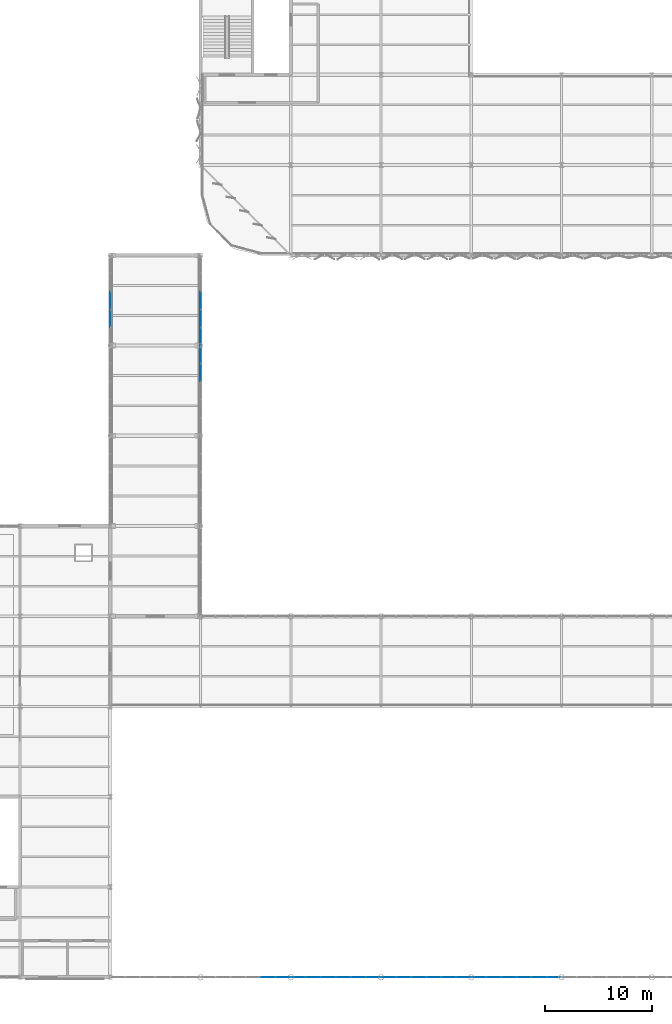
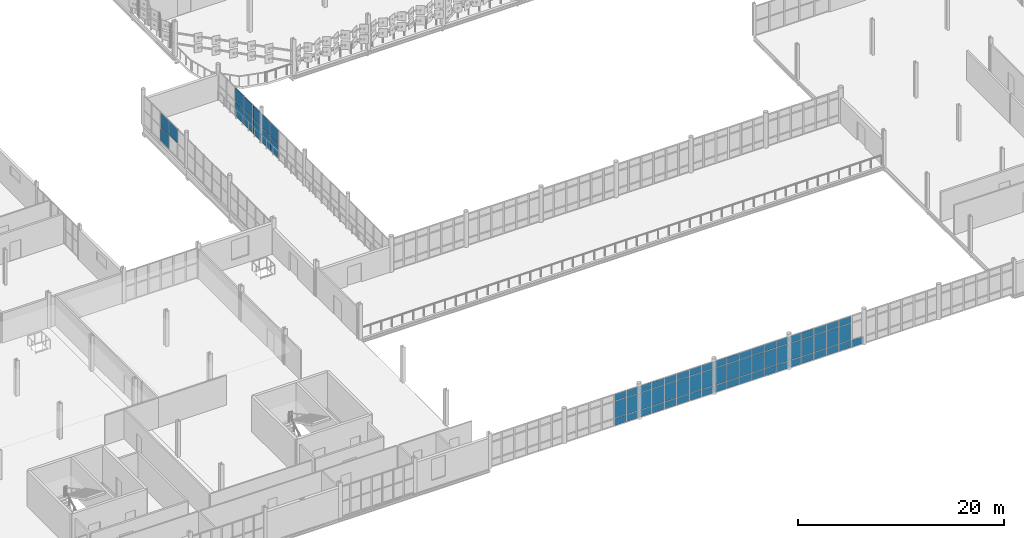
# One storey, part 115 of 163: 71 plates, 7 elements without a shape of their own.
"""IFC4 building model written with IfcOpenShell, lengths in metres."""

from ifc_helpers import new_model, si_unit, direction, frame, origin, origin_2d, place, context, subcontext, project, spatial, rectangle, extrude, material, layer, layer_set, type_object, element, aggregate, save


model = new_model("IFC4")

# Units and contexts
model_context = context("Model", 3, precision=1e-05, world=origin(), true_north=direction((0.0, 1.0)))
body_context = subcontext(model_context, "Body", "Model", "MODEL_VIEW")
ifc_project = project(units=[si_unit("LENGTHUNIT", "METRE"), si_unit("AREAUNIT", "SQUARE_METRE"), si_unit("VOLUMEUNIT", "CUBIC_METRE"), si_unit("PLANEANGLEUNIT", "RADIAN"), si_unit("MASSUNIT", "GRAM", prefix="KILO")], contexts=[model_context])

# Site, building, storey
site_placement = place(None, origin())
site = spatial("IfcSite", under=ifc_project, at=site_placement, CompositionType="ELEMENT")
building_placement = place(site_placement, origin())
building = spatial("IfcBuilding", under=site, at=building_placement, Name="Qalvenar Corner Mobility Hub", CompositionType="ELEMENT")
storey_placement = place(building_placement, frame((0.0, 0.0, 4.800048828125)))
storey = spatial("IfcBuildingStorey", under=building, at=storey_placement, Name="L01", CompositionType="ELEMENT", Elevation=4.800048828125)

# Curtain wall, plates
ifc_material_1 = material(Name="Anodised Aluminium and Low-E Glazing", Category="aluminium")
ifc_layer_1 = layer(ifc_material_1, 0.179931640625)
ifc_layer_set_1 = layer_set([ifc_layer_1], Name="Anodised Aluminium and Low-E Glazing")
curtain_wall_type_1 = type_object("IfcCurtainWallType", Name="CW-CONC-84X42", PredefinedType="NOTDEFINED", material=ifc_layer_set_1)
curtain_wall_1_placement = place(storey_placement, origin())
curtain_wall_1 = element("IfcCurtainWall", 1, at=curtain_wall_1_placement, inside=storey, type_object=curtain_wall_type_1, Name="Glazed Curtain Wall CW-V1-L01-S1", PredefinedType="NOTDEFINED")
ifc_material_2 = material(Name="Solar-Control Low-E Double Glazing", Category="glass")
ifc_layer_2 = layer(ifc_material_2, 0.028076171875)
ifc_layer_set_2 = layer_set([ifc_layer_2], Name="Solar-Control Low-E Double Glazing")
plate_type = type_object("IfcPlateType", Name="PLT-CWP-GLZ1", PredefinedType="CURTAIN_PANEL", material=ifc_layer_set_2)
plate_1_placement = place(storey_placement, frame((65.10009765625, 0.0, 0.054931640625), z_axis=(0.0, 0.0, 1.0), x_axis=(1.0, 0.0, 0.0)))
plate_1 = element("IfcPlate", 2, at=plate_1_placement, type_object=plate_type, Name="CW-02 panel 5.1", PredefinedType="CURTAIN_PANEL", context=body_context, shape_type="SweptSolid", body=[
    extrude(rectangle(XDim=1.340087890625, YDim=0.028076171875, at=origin_2d()), origin(), (0.0, 0.0, 1.0), 0.8173828125),
])
plate_2_placement = place(storey_placement, frame((65.10009765625, 0.0, 0.927490234375), z_axis=(0.0, 0.0, 1.0), x_axis=(1.0, 0.0, 0.0)))
plate_2 = element("IfcPlate", 3, at=plate_2_placement, type_object=plate_type, Name="CW-02 panel 5.2", PredefinedType="CURTAIN_PANEL", context=body_context, shape_type="SweptSolid", body=[
    extrude(rectangle(XDim=1.340087890625, YDim=0.028076171875, at=origin_2d()), origin(), (0.0, 0.0, 1.0), 1.9951171875),
])
plate_3_placement = place(storey_placement, frame((65.10009765625, 0.0, 2.977294921875), z_axis=(0.0, 0.0, 1.0), x_axis=(1.0, 0.0, 0.0)))
plate_3 = element("IfcPlate", 4, at=plate_3_placement, type_object=plate_type, Name="CW-02 panel 5.3", PredefinedType="CURTAIN_PANEL", context=body_context, shape_type="SweptSolid", body=[
    extrude(rectangle(XDim=1.340087890625, YDim=0.028076171875, at=origin_2d()), origin(), (0.0, 0.0, 1.0), 0.767578125),
])
plate_4_placement = place(storey_placement, frame((66.485107421875, 0.0, 0.054931640625), z_axis=(0.0, 0.0, 1.0), x_axis=(1.0, 0.0, 0.0)))
plate_4 = element("IfcPlate", 5, at=plate_4_placement, type_object=plate_type, Name="CW-02 panel 6.1", PredefinedType="CURTAIN_PANEL", context=body_context, shape_type="SweptSolid", body=[
    extrude(rectangle(XDim=1.31005859375, YDim=0.028076171875, at=origin_2d()), origin(), (0.0, 0.0, 1.0), 0.8173828125),
])
plate_5_placement = place(storey_placement, frame((66.485107421875, 0.0, 0.927490234375), z_axis=(0.0, 0.0, 1.0), x_axis=(1.0, 0.0, 0.0)))
plate_5 = element("IfcPlate", 6, at=plate_5_placement, type_object=plate_type, Name="CW-02 panel 6.2", PredefinedType="CURTAIN_PANEL", context=body_context, shape_type="SweptSolid", body=[
    extrude(rectangle(XDim=1.31005859375, YDim=0.028076171875, at=origin_2d()), origin(), (0.0, 0.0, 1.0), 1.9951171875),
])
plate_6_placement = place(storey_placement, frame((66.485107421875, 0.0, 2.977294921875), z_axis=(0.0, 0.0, 1.0), x_axis=(1.0, 0.0, 0.0)))
plate_6 = element("IfcPlate", 7, at=plate_6_placement, type_object=plate_type, Name="CW-02 panel 6.3", PredefinedType="CURTAIN_PANEL", context=body_context, shape_type="SweptSolid", body=[
    extrude(rectangle(XDim=1.31005859375, YDim=0.028076171875, at=origin_2d()), origin(), (0.0, 0.0, 1.0), 0.767578125),
])
aggregate(curtain_wall_1, [plate_1, plate_2, plate_3, plate_4, plate_5, plate_6])

curtain_wall_2_placement = place(storey_placement, origin())
curtain_wall_2 = element("IfcCurtainWall", 8, at=curtain_wall_2_placement, inside=storey, type_object=curtain_wall_type_1, Name="Glazed Curtain Wall CW-V1-L01-S2", PredefinedType="NOTDEFINED")
plate_7_placement = place(storey_placement, frame((67.9150390625, 0.0, 0.054931640625), z_axis=(0.0, 0.0, 1.0), x_axis=(1.0, 0.0, 0.0)))
plate_7 = element("IfcPlate", 9, at=plate_7_placement, type_object=plate_type, Name="CW-02 panel 1.1", PredefinedType="CURTAIN_PANEL", context=body_context, shape_type="SweptSolid", body=[
    extrude(rectangle(XDim=1.31005859375, YDim=0.028076171875, at=origin_2d()), origin(), (0.0, 0.0, 1.0), 0.8173828125),
])
plate_8_placement = place(storey_placement, frame((67.9150390625, 0.0, 0.927490234375), z_axis=(0.0, 0.0, 1.0), x_axis=(1.0, 0.0, 0.0)))
plate_8 = element("IfcPlate", 10, at=plate_8_placement, type_object=plate_type, Name="CW-02 panel 1.2", PredefinedType="CURTAIN_PANEL", context=body_context, shape_type="SweptSolid", body=[
    extrude(rectangle(XDim=1.31005859375, YDim=0.028076171875, at=origin_2d()), origin(), (0.0, 0.0, 1.0), 1.9951171875),
])
plate_9_placement = place(storey_placement, frame((67.9150390625, 0.0, 2.977294921875), z_axis=(0.0, 0.0, 1.0), x_axis=(1.0, 0.0, 0.0)))
plate_9 = element("IfcPlate", 11, at=plate_9_placement, type_object=plate_type, Name="CW-02 panel 1.3", PredefinedType="CURTAIN_PANEL", context=body_context, shape_type="SweptSolid", body=[
    extrude(rectangle(XDim=1.31005859375, YDim=0.028076171875, at=origin_2d()), origin(), (0.0, 0.0, 1.0), 0.767578125),
])
plate_10_placement = place(storey_placement, frame((69.300048828125, 0.0, 0.054931640625), z_axis=(0.0, 0.0, 1.0), x_axis=(1.0, 0.0, 0.0)))
plate_10 = element("IfcPlate", 12, at=plate_10_placement, type_object=plate_type, Name="CW-02 panel 2.1", PredefinedType="CURTAIN_PANEL", context=body_context, shape_type="SweptSolid", body=[
    extrude(rectangle(XDim=1.340087890625, YDim=0.028076171875, at=origin_2d()), origin(), (0.0, 0.0, 1.0), 0.8173828125),
])
plate_11_placement = place(storey_placement, frame((69.300048828125, 0.0, 0.927490234375), z_axis=(0.0, 0.0, 1.0), x_axis=(1.0, 0.0, 0.0)))
plate_11 = element("IfcPlate", 13, at=plate_11_placement, type_object=plate_type, Name="CW-02 panel 2.2", PredefinedType="CURTAIN_PANEL", context=body_context, shape_type="SweptSolid", body=[
    extrude(rectangle(XDim=1.340087890625, YDim=0.028076171875, at=origin_2d()), origin(), (0.0, 0.0, 1.0), 1.9951171875),
])
plate_12_placement = place(storey_placement, frame((69.300048828125, 0.0, 2.977294921875), z_axis=(0.0, 0.0, 1.0), x_axis=(1.0, 0.0, 0.0)))
plate_12 = element("IfcPlate", 14, at=plate_12_placement, type_object=plate_type, Name="CW-02 panel 2.3", PredefinedType="CURTAIN_PANEL", context=body_context, shape_type="SweptSolid", body=[
    extrude(rectangle(XDim=1.340087890625, YDim=0.028076171875, at=origin_2d()), origin(), (0.0, 0.0, 1.0), 0.767578125),
])
plate_13_placement = place(storey_placement, frame((70.699951171875, 0.0, 0.054931640625), z_axis=(0.0, 0.0, 1.0), x_axis=(1.0, 0.0, 0.0)))
plate_13 = element("IfcPlate", 15, at=plate_13_placement, type_object=plate_type, Name="CW-02 panel 3.1", PredefinedType="CURTAIN_PANEL", context=body_context, shape_type="SweptSolid", body=[
    extrude(rectangle(XDim=1.340087890625, YDim=0.028076171875, at=origin_2d()), origin(), (0.0, 0.0, 1.0), 0.8173828125),
])
plate_14_placement = place(storey_placement, frame((70.699951171875, 0.0, 0.927490234375), z_axis=(0.0, 0.0, 1.0), x_axis=(1.0, 0.0, 0.0)))
plate_14 = element("IfcPlate", 16, at=plate_14_placement, type_object=plate_type, Name="CW-02 panel 3.2", PredefinedType="CURTAIN_PANEL", context=body_context, shape_type="SweptSolid", body=[
    extrude(rectangle(XDim=1.340087890625, YDim=0.028076171875, at=origin_2d()), origin(), (0.0, 0.0, 1.0), 1.9951171875),
])
plate_15_placement = place(storey_placement, frame((70.699951171875, 0.0, 2.977294921875), z_axis=(0.0, 0.0, 1.0), x_axis=(1.0, 0.0, 0.0)))
plate_15 = element("IfcPlate", 17, at=plate_15_placement, type_object=plate_type, Name="CW-02 panel 3.3", PredefinedType="CURTAIN_PANEL", context=body_context, shape_type="SweptSolid", body=[
    extrude(rectangle(XDim=1.340087890625, YDim=0.028076171875, at=origin_2d()), origin(), (0.0, 0.0, 1.0), 0.767578125),
])
plate_16_placement = place(storey_placement, frame((72.10009765625, 0.0, 0.054931640625), z_axis=(0.0, 0.0, 1.0), x_axis=(1.0, 0.0, 0.0)))
plate_16 = element("IfcPlate", 18, at=plate_16_placement, type_object=plate_type, Name="CW-02 panel 4.1", PredefinedType="CURTAIN_PANEL", context=body_context, shape_type="SweptSolid", body=[
    extrude(rectangle(XDim=1.340087890625, YDim=0.028076171875, at=origin_2d()), origin(), (0.0, 0.0, 1.0), 0.8173828125),
])
plate_17_placement = place(storey_placement, frame((72.10009765625, 0.0, 0.927490234375), z_axis=(0.0, 0.0, 1.0), x_axis=(1.0, 0.0, 0.0)))
plate_17 = element("IfcPlate", 19, at=plate_17_placement, type_object=plate_type, Name="CW-02 panel 4.2", PredefinedType="CURTAIN_PANEL", context=body_context, shape_type="SweptSolid", body=[
    extrude(rectangle(XDim=1.340087890625, YDim=0.028076171875, at=origin_2d()), origin(), (0.0, 0.0, 1.0), 1.9951171875),
])
plate_18_placement = place(storey_placement, frame((72.10009765625, 0.0, 2.977294921875), z_axis=(0.0, 0.0, 1.0), x_axis=(1.0, 0.0, 0.0)))
plate_18 = element("IfcPlate", 20, at=plate_18_placement, type_object=plate_type, Name="CW-02 panel 4.3", PredefinedType="CURTAIN_PANEL", context=body_context, shape_type="SweptSolid", body=[
    extrude(rectangle(XDim=1.340087890625, YDim=0.028076171875, at=origin_2d()), origin(), (0.0, 0.0, 1.0), 0.767578125),
])
plate_19_placement = place(storey_placement, frame((73.5, 0.0, 0.054931640625), z_axis=(0.0, 0.0, 1.0), x_axis=(1.0, 0.0, 0.0)))
plate_19 = element("IfcPlate", 21, at=plate_19_placement, type_object=plate_type, Name="CW-02 panel 5.1", PredefinedType="CURTAIN_PANEL", context=body_context, shape_type="SweptSolid", body=[
    extrude(rectangle(XDim=1.340087890625, YDim=0.028076171875, at=origin_2d()), origin(), (0.0, 0.0, 1.0), 0.8173828125),
])
plate_20_placement = place(storey_placement, frame((73.5, 0.0, 0.927490234375), z_axis=(0.0, 0.0, 1.0), x_axis=(1.0, 0.0, 0.0)))
plate_20 = element("IfcPlate", 22, at=plate_20_placement, type_object=plate_type, Name="CW-02 panel 5.2", PredefinedType="CURTAIN_PANEL", context=body_context, shape_type="SweptSolid", body=[
    extrude(rectangle(XDim=1.340087890625, YDim=0.028076171875, at=origin_2d()), origin(), (0.0, 0.0, 1.0), 1.9951171875),
])
plate_21_placement = place(storey_placement, frame((73.5, 0.0, 2.977294921875), z_axis=(0.0, 0.0, 1.0), x_axis=(1.0, 0.0, 0.0)))
plate_21 = element("IfcPlate", 23, at=plate_21_placement, type_object=plate_type, Name="CW-02 panel 5.3", PredefinedType="CURTAIN_PANEL", context=body_context, shape_type="SweptSolid", body=[
    extrude(rectangle(XDim=1.340087890625, YDim=0.028076171875, at=origin_2d()), origin(), (0.0, 0.0, 1.0), 0.767578125),
])
plate_22_placement = place(storey_placement, frame((74.885009765625, 0.0, 0.054931640625), z_axis=(0.0, 0.0, 1.0), x_axis=(1.0, 0.0, 0.0)))
plate_22 = element("IfcPlate", 24, at=plate_22_placement, type_object=plate_type, Name="CW-02 panel 6.1", PredefinedType="CURTAIN_PANEL", context=body_context, shape_type="SweptSolid", body=[
    extrude(rectangle(XDim=1.31005859375, YDim=0.028076171875, at=origin_2d()), origin(), (0.0, 0.0, 1.0), 0.8173828125),
])
plate_23_placement = place(storey_placement, frame((74.885009765625, 0.0, 0.927490234375), z_axis=(0.0, 0.0, 1.0), x_axis=(1.0, 0.0, 0.0)))
plate_23 = element("IfcPlate", 25, at=plate_23_placement, type_object=plate_type, Name="CW-02 panel 6.2", PredefinedType="CURTAIN_PANEL", context=body_context, shape_type="SweptSolid", body=[
    extrude(rectangle(XDim=1.31005859375, YDim=0.028076171875, at=origin_2d()), origin(), (0.0, 0.0, 1.0), 1.9951171875),
])
plate_24_placement = place(storey_placement, frame((74.885009765625, 0.0, 2.977294921875), z_axis=(0.0, 0.0, 1.0), x_axis=(1.0, 0.0, 0.0)))
plate_24 = element("IfcPlate", 26, at=plate_24_placement, type_object=plate_type, Name="CW-02 panel 6.3", PredefinedType="CURTAIN_PANEL", context=body_context, shape_type="SweptSolid", body=[
    extrude(rectangle(XDim=1.31005859375, YDim=0.028076171875, at=origin_2d()), origin(), (0.0, 0.0, 1.0), 0.767578125),
])
aggregate(curtain_wall_2, [plate_7, plate_8, plate_9, plate_10, plate_11, plate_12, plate_13, plate_14, plate_15, plate_16, plate_17, plate_18, plate_19, plate_20, plate_21, plate_22, plate_23, plate_24])

curtain_wall_3_placement = place(storey_placement, origin())
curtain_wall_3 = element("IfcCurtainWall", 27, at=curtain_wall_3_placement, inside=storey, type_object=curtain_wall_type_1, Name="Glazed Curtain Wall CW-V1-L01-S3", PredefinedType="NOTDEFINED")
plate_25_placement = place(storey_placement, frame((76.31494140625, 0.0, 0.054931640625), z_axis=(0.0, 0.0, 1.0), x_axis=(1.0, 0.0, 0.0)))
plate_25 = element("IfcPlate", 28, at=plate_25_placement, type_object=plate_type, Name="CW-02 panel 1.1", PredefinedType="CURTAIN_PANEL", context=body_context, shape_type="SweptSolid", body=[
    extrude(rectangle(XDim=1.31005859375, YDim=0.028076171875, at=origin_2d()), origin(), (0.0, 0.0, 1.0), 0.8173828125),
])
plate_26_placement = place(storey_placement, frame((76.31494140625, 0.0, 0.927490234375), z_axis=(0.0, 0.0, 1.0), x_axis=(1.0, 0.0, 0.0)))
plate_26 = element("IfcPlate", 29, at=plate_26_placement, type_object=plate_type, Name="CW-02 panel 1.2", PredefinedType="CURTAIN_PANEL", context=body_context, shape_type="SweptSolid", body=[
    extrude(rectangle(XDim=1.31005859375, YDim=0.028076171875, at=origin_2d()), origin(), (0.0, 0.0, 1.0), 1.9951171875),
])
plate_27_placement = place(storey_placement, frame((76.31494140625, 0.0, 2.977294921875), z_axis=(0.0, 0.0, 1.0), x_axis=(1.0, 0.0, 0.0)))
plate_27 = element("IfcPlate", 30, at=plate_27_placement, type_object=plate_type, Name="CW-02 panel 1.3", PredefinedType="CURTAIN_PANEL", context=body_context, shape_type="SweptSolid", body=[
    extrude(rectangle(XDim=1.31005859375, YDim=0.028076171875, at=origin_2d()), origin(), (0.0, 0.0, 1.0), 0.767578125),
])
plate_28_placement = place(storey_placement, frame((77.699951171875, 0.0, 0.054931640625), z_axis=(0.0, 0.0, 1.0), x_axis=(1.0, 0.0, 0.0)))
plate_28 = element("IfcPlate", 31, at=plate_28_placement, type_object=plate_type, Name="CW-02 panel 2.1", PredefinedType="CURTAIN_PANEL", context=body_context, shape_type="SweptSolid", body=[
    extrude(rectangle(XDim=1.340087890625, YDim=0.028076171875, at=origin_2d()), origin(), (0.0, 0.0, 1.0), 0.8173828125),
])
plate_29_placement = place(storey_placement, frame((77.699951171875, 0.0, 0.927490234375), z_axis=(0.0, 0.0, 1.0), x_axis=(1.0, 0.0, 0.0)))
plate_29 = element("IfcPlate", 32, at=plate_29_placement, type_object=plate_type, Name="CW-02 panel 2.2", PredefinedType="CURTAIN_PANEL", context=body_context, shape_type="SweptSolid", body=[
    extrude(rectangle(XDim=1.340087890625, YDim=0.028076171875, at=origin_2d()), origin(), (0.0, 0.0, 1.0), 1.9951171875),
])
plate_30_placement = place(storey_placement, frame((77.699951171875, 0.0, 2.977294921875), z_axis=(0.0, 0.0, 1.0), x_axis=(1.0, 0.0, 0.0)))
plate_30 = element("IfcPlate", 33, at=plate_30_placement, type_object=plate_type, Name="CW-02 panel 2.3", PredefinedType="CURTAIN_PANEL", context=body_context, shape_type="SweptSolid", body=[
    extrude(rectangle(XDim=1.340087890625, YDim=0.028076171875, at=origin_2d()), origin(), (0.0, 0.0, 1.0), 0.767578125),
])
plate_31_placement = place(storey_placement, frame((79.10009765625, 0.0, 0.054931640625), z_axis=(0.0, 0.0, 1.0), x_axis=(1.0, 0.0, 0.0)))
plate_31 = element("IfcPlate", 34, at=plate_31_placement, type_object=plate_type, Name="CW-02 panel 3.1", PredefinedType="CURTAIN_PANEL", context=body_context, shape_type="SweptSolid", body=[
    extrude(rectangle(XDim=1.340087890625, YDim=0.028076171875, at=origin_2d()), origin(), (0.0, 0.0, 1.0), 0.8173828125),
])
plate_32_placement = place(storey_placement, frame((79.10009765625, 0.0, 0.927490234375), z_axis=(0.0, 0.0, 1.0), x_axis=(1.0, 0.0, 0.0)))
plate_32 = element("IfcPlate", 35, at=plate_32_placement, type_object=plate_type, Name="CW-02 panel 3.2", PredefinedType="CURTAIN_PANEL", context=body_context, shape_type="SweptSolid", body=[
    extrude(rectangle(XDim=1.340087890625, YDim=0.028076171875, at=origin_2d()), origin(), (0.0, 0.0, 1.0), 1.9951171875),
])
plate_33_placement = place(storey_placement, frame((79.10009765625, 0.0, 2.977294921875), z_axis=(0.0, 0.0, 1.0), x_axis=(1.0, 0.0, 0.0)))
plate_33 = element("IfcPlate", 36, at=plate_33_placement, type_object=plate_type, Name="CW-02 panel 3.3", PredefinedType="CURTAIN_PANEL", context=body_context, shape_type="SweptSolid", body=[
    extrude(rectangle(XDim=1.340087890625, YDim=0.028076171875, at=origin_2d()), origin(), (0.0, 0.0, 1.0), 0.767578125),
])
plate_34_placement = place(storey_placement, frame((80.5, 0.0, 0.054931640625), z_axis=(0.0, 0.0, 1.0), x_axis=(1.0, 0.0, 0.0)))
plate_34 = element("IfcPlate", 37, at=plate_34_placement, type_object=plate_type, Name="CW-02 panel 4.1", PredefinedType="CURTAIN_PANEL", context=body_context, shape_type="SweptSolid", body=[
    extrude(rectangle(XDim=1.340087890625, YDim=0.028076171875, at=origin_2d()), origin(), (0.0, 0.0, 1.0), 0.8173828125),
])
plate_35_placement = place(storey_placement, frame((80.5, 0.0, 0.927490234375), z_axis=(0.0, 0.0, 1.0), x_axis=(1.0, 0.0, 0.0)))
plate_35 = element("IfcPlate", 38, at=plate_35_placement, type_object=plate_type, Name="CW-02 panel 4.2", PredefinedType="CURTAIN_PANEL", context=body_context, shape_type="SweptSolid", body=[
    extrude(rectangle(XDim=1.340087890625, YDim=0.028076171875, at=origin_2d()), origin(), (0.0, 0.0, 1.0), 1.9951171875),
])
plate_36_placement = place(storey_placement, frame((80.5, 0.0, 2.977294921875), z_axis=(0.0, 0.0, 1.0), x_axis=(1.0, 0.0, 0.0)))
plate_36 = element("IfcPlate", 39, at=plate_36_placement, type_object=plate_type, Name="CW-02 panel 4.3", PredefinedType="CURTAIN_PANEL", context=body_context, shape_type="SweptSolid", body=[
    extrude(rectangle(XDim=1.340087890625, YDim=0.028076171875, at=origin_2d()), origin(), (0.0, 0.0, 1.0), 0.767578125),
])
plate_37_placement = place(storey_placement, frame((81.89990234375, 0.0, 0.054931640625), z_axis=(0.0, 0.0, 1.0), x_axis=(1.0, 0.0, 0.0)))
plate_37 = element("IfcPlate", 40, at=plate_37_placement, type_object=plate_type, Name="CW-02 panel 5.1", PredefinedType="CURTAIN_PANEL", context=body_context, shape_type="SweptSolid", body=[
    extrude(rectangle(XDim=1.340087890625, YDim=0.028076171875, at=origin_2d()), origin(), (0.0, 0.0, 1.0), 0.8173828125),
])
plate_38_placement = place(storey_placement, frame((81.89990234375, 0.0, 0.927490234375), z_axis=(0.0, 0.0, 1.0), x_axis=(1.0, 0.0, 0.0)))
plate_38 = element("IfcPlate", 41, at=plate_38_placement, type_object=plate_type, Name="CW-02 panel 5.2", PredefinedType="CURTAIN_PANEL", context=body_context, shape_type="SweptSolid", body=[
    extrude(rectangle(XDim=1.340087890625, YDim=0.028076171875, at=origin_2d()), origin(), (0.0, 0.0, 1.0), 1.9951171875),
])
plate_39_placement = place(storey_placement, frame((81.89990234375, 0.0, 2.977294921875), z_axis=(0.0, 0.0, 1.0), x_axis=(1.0, 0.0, 0.0)))
plate_39 = element("IfcPlate", 42, at=plate_39_placement, type_object=plate_type, Name="CW-02 panel 5.3", PredefinedType="CURTAIN_PANEL", context=body_context, shape_type="SweptSolid", body=[
    extrude(rectangle(XDim=1.340087890625, YDim=0.028076171875, at=origin_2d()), origin(), (0.0, 0.0, 1.0), 0.767578125),
])
plate_40_placement = place(storey_placement, frame((83.284912109375, 0.0, 0.054931640625), z_axis=(0.0, 0.0, 1.0), x_axis=(1.0, 0.0, 0.0)))
plate_40 = element("IfcPlate", 43, at=plate_40_placement, type_object=plate_type, Name="CW-02 panel 6.1", PredefinedType="CURTAIN_PANEL", context=body_context, shape_type="SweptSolid", body=[
    extrude(rectangle(XDim=1.31005859375, YDim=0.028076171875, at=origin_2d()), origin(), (0.0, 0.0, 1.0), 0.8173828125),
])
plate_41_placement = place(storey_placement, frame((83.284912109375, 0.0, 0.927490234375), z_axis=(0.0, 0.0, 1.0), x_axis=(1.0, 0.0, 0.0)))
plate_41 = element("IfcPlate", 44, at=plate_41_placement, type_object=plate_type, Name="CW-02 panel 6.2", PredefinedType="CURTAIN_PANEL", context=body_context, shape_type="SweptSolid", body=[
    extrude(rectangle(XDim=1.31005859375, YDim=0.028076171875, at=origin_2d()), origin(), (0.0, 0.0, 1.0), 1.9951171875),
])
plate_42_placement = place(storey_placement, frame((83.284912109375, 0.0, 2.977294921875), z_axis=(0.0, 0.0, 1.0), x_axis=(1.0, 0.0, 0.0)))
plate_42 = element("IfcPlate", 45, at=plate_42_placement, type_object=plate_type, Name="CW-02 panel 6.3", PredefinedType="CURTAIN_PANEL", context=body_context, shape_type="SweptSolid", body=[
    extrude(rectangle(XDim=1.31005859375, YDim=0.028076171875, at=origin_2d()), origin(), (0.0, 0.0, 1.0), 0.767578125),
])
aggregate(curtain_wall_3, [plate_25, plate_26, plate_27, plate_28, plate_29, plate_30, plate_31, plate_32, plate_33, plate_34, plate_35, plate_36, plate_37, plate_38, plate_39, plate_40, plate_41, plate_42])

curtain_wall_4_placement = place(storey_placement, origin())
curtain_wall_4 = element("IfcCurtainWall", 46, at=curtain_wall_4_placement, inside=storey, type_object=curtain_wall_type_1, Name="Glazed Curtain Wall CW-V1-L01-S4", PredefinedType="NOTDEFINED")
plate_43_placement = place(storey_placement, frame((84.715087890625, 0.0, 0.054931640625), z_axis=(0.0, 0.0, 1.0), x_axis=(1.0, 0.0, 0.0)))
plate_43 = element("IfcPlate", 47, at=plate_43_placement, type_object=plate_type, Name="CW-02 panel 1.1", PredefinedType="CURTAIN_PANEL", context=body_context, shape_type="SweptSolid", body=[
    extrude(rectangle(XDim=1.31005859375, YDim=0.028076171875, at=origin_2d()), origin(), (0.0, 0.0, 1.0), 0.8173828125),
])
plate_44_placement = place(storey_placement, frame((84.715087890625, 0.0, 0.927490234375), z_axis=(0.0, 0.0, 1.0), x_axis=(1.0, 0.0, 0.0)))
plate_44 = element("IfcPlate", 48, at=plate_44_placement, type_object=plate_type, Name="CW-02 panel 1.2", PredefinedType="CURTAIN_PANEL", context=body_context, shape_type="SweptSolid", body=[
    extrude(rectangle(XDim=1.31005859375, YDim=0.028076171875, at=origin_2d()), origin(), (0.0, 0.0, 1.0), 1.9951171875),
])
plate_45_placement = place(storey_placement, frame((84.715087890625, 0.0, 2.977294921875), z_axis=(0.0, 0.0, 1.0), x_axis=(1.0, 0.0, 0.0)))
plate_45 = element("IfcPlate", 49, at=plate_45_placement, type_object=plate_type, Name="CW-02 panel 1.3", PredefinedType="CURTAIN_PANEL", context=body_context, shape_type="SweptSolid", body=[
    extrude(rectangle(XDim=1.31005859375, YDim=0.028076171875, at=origin_2d()), origin(), (0.0, 0.0, 1.0), 0.767578125),
])
plate_46_placement = place(storey_placement, frame((86.10009765625, 0.0, 0.054931640625), z_axis=(0.0, 0.0, 1.0), x_axis=(1.0, 0.0, 0.0)))
plate_46 = element("IfcPlate", 50, at=plate_46_placement, type_object=plate_type, Name="CW-02 panel 2.1", PredefinedType="CURTAIN_PANEL", context=body_context, shape_type="SweptSolid", body=[
    extrude(rectangle(XDim=1.340087890625, YDim=0.028076171875, at=origin_2d()), origin(), (0.0, 0.0, 1.0), 0.8173828125),
])
plate_47_placement = place(storey_placement, frame((86.10009765625, 0.0, 0.927490234375), z_axis=(0.0, 0.0, 1.0), x_axis=(1.0, 0.0, 0.0)))
plate_47 = element("IfcPlate", 51, at=plate_47_placement, type_object=plate_type, Name="CW-02 panel 2.2", PredefinedType="CURTAIN_PANEL", context=body_context, shape_type="SweptSolid", body=[
    extrude(rectangle(XDim=1.340087890625, YDim=0.028076171875, at=origin_2d()), origin(), (0.0, 0.0, 1.0), 1.9951171875),
])
plate_48_placement = place(storey_placement, frame((86.10009765625, 0.0, 2.977294921875), z_axis=(0.0, 0.0, 1.0), x_axis=(1.0, 0.0, 0.0)))
plate_48 = element("IfcPlate", 52, at=plate_48_placement, type_object=plate_type, Name="CW-02 panel 2.3", PredefinedType="CURTAIN_PANEL", context=body_context, shape_type="SweptSolid", body=[
    extrude(rectangle(XDim=1.340087890625, YDim=0.028076171875, at=origin_2d()), origin(), (0.0, 0.0, 1.0), 0.767578125),
])
plate_49_placement = place(storey_placement, frame((87.5, 0.0, 0.054931640625), z_axis=(0.0, 0.0, 1.0), x_axis=(1.0, 0.0, 0.0)))
plate_49 = element("IfcPlate", 53, at=plate_49_placement, type_object=plate_type, Name="CW-02 panel 3.1", PredefinedType="CURTAIN_PANEL", context=body_context, shape_type="SweptSolid", body=[
    extrude(rectangle(XDim=1.340087890625, YDim=0.028076171875, at=origin_2d()), origin(), (0.0, 0.0, 1.0), 0.8173828125),
])
plate_50_placement = place(storey_placement, frame((87.5, 0.0, 0.927490234375), z_axis=(0.0, 0.0, 1.0), x_axis=(1.0, 0.0, 0.0)))
plate_50 = element("IfcPlate", 54, at=plate_50_placement, type_object=plate_type, Name="CW-02 panel 3.2", PredefinedType="CURTAIN_PANEL", context=body_context, shape_type="SweptSolid", body=[
    extrude(rectangle(XDim=1.340087890625, YDim=0.028076171875, at=origin_2d()), origin(), (0.0, 0.0, 1.0), 1.9951171875),
])
plate_51_placement = place(storey_placement, frame((87.5, 0.0, 2.977294921875), z_axis=(0.0, 0.0, 1.0), x_axis=(1.0, 0.0, 0.0)))
plate_51 = element("IfcPlate", 55, at=plate_51_placement, type_object=plate_type, Name="CW-02 panel 3.3", PredefinedType="CURTAIN_PANEL", context=body_context, shape_type="SweptSolid", body=[
    extrude(rectangle(XDim=1.340087890625, YDim=0.028076171875, at=origin_2d()), origin(), (0.0, 0.0, 1.0), 0.767578125),
])
plate_52_placement = place(storey_placement, frame((88.89990234375, 0.0, 0.054931640625), z_axis=(0.0, 0.0, 1.0), x_axis=(1.0, 0.0, 0.0)))
plate_52 = element("IfcPlate", 56, at=plate_52_placement, type_object=plate_type, Name="CW-02 panel 4.1", PredefinedType="CURTAIN_PANEL", context=body_context, shape_type="SweptSolid", body=[
    extrude(rectangle(XDim=1.340087890625, YDim=0.028076171875, at=origin_2d()), origin(), (0.0, 0.0, 1.0), 0.8173828125),
])
plate_53_placement = place(storey_placement, frame((88.89990234375, 0.0, 0.927490234375), z_axis=(0.0, 0.0, 1.0), x_axis=(1.0, 0.0, 0.0)))
plate_53 = element("IfcPlate", 57, at=plate_53_placement, type_object=plate_type, Name="CW-02 panel 4.2", PredefinedType="CURTAIN_PANEL", context=body_context, shape_type="SweptSolid", body=[
    extrude(rectangle(XDim=1.340087890625, YDim=0.028076171875, at=origin_2d()), origin(), (0.0, 0.0, 1.0), 1.9951171875),
])
plate_54_placement = place(storey_placement, frame((88.89990234375, 0.0, 2.977294921875), z_axis=(0.0, 0.0, 1.0), x_axis=(1.0, 0.0, 0.0)))
plate_54 = element("IfcPlate", 58, at=plate_54_placement, type_object=plate_type, Name="CW-02 panel 4.3", PredefinedType="CURTAIN_PANEL", context=body_context, shape_type="SweptSolid", body=[
    extrude(rectangle(XDim=1.340087890625, YDim=0.028076171875, at=origin_2d()), origin(), (0.0, 0.0, 1.0), 0.767578125),
])
plate_55_placement = place(storey_placement, frame((90.300048828125, 0.0, 0.054931640625), z_axis=(0.0, 0.0, 1.0), x_axis=(1.0, 0.0, 0.0)))
plate_55 = element("IfcPlate", 59, at=plate_55_placement, type_object=plate_type, Name="CW-02 panel 5.1", PredefinedType="CURTAIN_PANEL", context=body_context, shape_type="SweptSolid", body=[
    extrude(rectangle(XDim=1.340087890625, YDim=0.028076171875, at=origin_2d()), origin(), (0.0, 0.0, 1.0), 0.8173828125),
])
plate_56_placement = place(storey_placement, frame((90.300048828125, 0.0, 0.927490234375), z_axis=(0.0, 0.0, 1.0), x_axis=(1.0, 0.0, 0.0)))
plate_56 = element("IfcPlate", 60, at=plate_56_placement, type_object=plate_type, Name="CW-02 panel 5.2", PredefinedType="CURTAIN_PANEL", context=body_context, shape_type="SweptSolid", body=[
    extrude(rectangle(XDim=1.340087890625, YDim=0.028076171875, at=origin_2d()), origin(), (0.0, 0.0, 1.0), 1.9951171875),
])
plate_57_placement = place(storey_placement, frame((90.300048828125, 0.0, 2.977294921875), z_axis=(0.0, 0.0, 1.0), x_axis=(1.0, 0.0, 0.0)))
plate_57 = element("IfcPlate", 61, at=plate_57_placement, type_object=plate_type, Name="CW-02 panel 5.3", PredefinedType="CURTAIN_PANEL", context=body_context, shape_type="SweptSolid", body=[
    extrude(rectangle(XDim=1.340087890625, YDim=0.028076171875, at=origin_2d()), origin(), (0.0, 0.0, 1.0), 0.767578125),
])
plate_58_placement = place(storey_placement, frame((91.68505859375, 0.0, 0.054931640625), z_axis=(0.0, 0.0, 1.0), x_axis=(1.0, 0.0, 0.0)))
plate_58 = element("IfcPlate", 62, at=plate_58_placement, type_object=plate_type, Name="CW-02 panel 6.1", PredefinedType="CURTAIN_PANEL", context=body_context, shape_type="SweptSolid", body=[
    extrude(rectangle(XDim=1.31005859375, YDim=0.028076171875, at=origin_2d()), origin(), (0.0, 0.0, 1.0), 0.8173828125),
])
aggregate(curtain_wall_4, [plate_43, plate_44, plate_45, plate_46, plate_47, plate_48, plate_49, plate_50, plate_51, plate_52, plate_53, plate_54, plate_55, plate_56, plate_57, plate_58])

ifc_layer_3 = layer(ifc_material_1, 0.1201171875)
ifc_layer_set_3 = layer_set([ifc_layer_3], Name="Anodised Aluminium and Low-E Glazing")
curtain_wall_type_2 = type_object("IfcCurtainWallType", Name="CW-BRG-84X28", PredefinedType="NOTDEFINED", material=ifc_layer_set_3)
curtain_wall_5_placement = place(storey_placement, origin())
curtain_wall_5 = element("IfcCurtainWall", 63, at=curtain_wall_5_placement, inside=storey, type_object=curtain_wall_type_2, Name="Glazed Curtain Wall CW-BRG-L01-E2", PredefinedType="NOTDEFINED")
plate_59_placement = place(storey_placement, frame((58.800048828125, 56.280029296875, 0.054931640625), z_axis=(0.0, 0.0, 1.0), x_axis=(0.0, 1.0, 0.0)))
plate_59 = element("IfcPlate", 64, at=plate_59_placement, type_object=plate_type, Name="CW-11 panel 4.1", PredefinedType="CURTAIN_PANEL", context=body_context, shape_type="SweptSolid", body=[
    extrude(rectangle(XDim=1.6201171875, YDim=0.028076171875, at=origin_2d()), origin(), (0.0, 0.0, 1.0), 1.642578125),
])
plate_60_placement = place(storey_placement, frame((58.800048828125, 56.280029296875, 1.75244140625), z_axis=(0.0, 0.0, 1.0), x_axis=(0.0, 1.0, 0.0)))
plate_60 = element("IfcPlate", 65, at=plate_60_placement, type_object=plate_type, Name="CW-11 panel 4.2", PredefinedType="CURTAIN_PANEL", context=body_context, shape_type="SweptSolid", body=[
    extrude(rectangle(XDim=1.6201171875, YDim=0.028076171875, at=origin_2d()), origin(), (0.0, 0.0, 1.0), 1.642578125),
])
plate_61_placement = place(storey_placement, frame((58.800048828125, 57.945068359375, 0.054931640625), z_axis=(0.0, 0.0, 1.0), x_axis=(0.0, 1.0, 0.0)))
plate_61 = element("IfcPlate", 66, at=plate_61_placement, type_object=plate_type, Name="CW-11 panel 5.1", PredefinedType="CURTAIN_PANEL", context=body_context, shape_type="SweptSolid", body=[
    extrude(rectangle(XDim=1.590087890625, YDim=0.028076171875, at=origin_2d()), origin(), (0.0, 0.0, 1.0), 1.642578125),
])
plate_62_placement = place(storey_placement, frame((58.800048828125, 57.945068359375, 1.75244140625), z_axis=(0.0, 0.0, 1.0), x_axis=(0.0, 1.0, 0.0)))
plate_62 = element("IfcPlate", 67, at=plate_62_placement, type_object=plate_type, Name="CW-11 panel 5.2", PredefinedType="CURTAIN_PANEL", context=body_context, shape_type="SweptSolid", body=[
    extrude(rectangle(XDim=1.590087890625, YDim=0.028076171875, at=origin_2d()), origin(), (0.0, 0.0, 1.0), 1.642578125),
])
aggregate(curtain_wall_5, [plate_59, plate_60, plate_61, plate_62])

curtain_wall_6_placement = place(storey_placement, origin())
curtain_wall_6 = element("IfcCurtainWall", 68, at=curtain_wall_6_placement, inside=storey, type_object=curtain_wall_type_2, Name="Glazed Curtain Wall CW-BRG-L01-W3", PredefinedType="NOTDEFINED")
plate_63_placement = place(storey_placement, frame((50.39990234375, 63.0, 0.054931640625), z_axis=(0.0, 0.0, 1.0), x_axis=(0.0, -1.0, 0.0)))
plate_63 = element("IfcPlate", 69, at=plate_63_placement, type_object=plate_type, Name="CW-11 panel 3.1", PredefinedType="CURTAIN_PANEL", context=body_context, shape_type="SweptSolid", body=[
    extrude(rectangle(XDim=1.6201171875, YDim=0.028076171875, at=origin_2d()), origin(), (0.0, 0.0, 1.0), 1.642578125),
])
plate_64_placement = place(storey_placement, frame((50.39990234375, 63.0, 1.75244140625), z_axis=(0.0, 0.0, 1.0), x_axis=(0.0, -1.0, 0.0)))
plate_64 = element("IfcPlate", 70, at=plate_64_placement, type_object=plate_type, Name="CW-11 panel 3.2", PredefinedType="CURTAIN_PANEL", context=body_context, shape_type="SweptSolid", body=[
    extrude(rectangle(XDim=1.6201171875, YDim=0.028076171875, at=origin_2d()), origin(), (0.0, 0.0, 1.0), 1.642578125),
])
plate_65_placement = place(storey_placement, frame((50.39990234375, 61.320068359375, 1.75244140625), z_axis=(0.0, 0.0, 1.0), x_axis=(0.0, -1.0, 0.0)))
plate_65 = element("IfcPlate", 71, at=plate_65_placement, type_object=plate_type, Name="CW-11 panel 4.2", PredefinedType="CURTAIN_PANEL", context=body_context, shape_type="SweptSolid", body=[
    extrude(rectangle(XDim=1.6201171875, YDim=0.028076171875, at=origin_2d()), origin(), (0.0, 0.0, 1.0), 1.642578125),
])
aggregate(curtain_wall_6, [plate_63, plate_64, plate_65])

curtain_wall_7_placement = place(storey_placement, origin())
curtain_wall_7 = element("IfcCurtainWall", 72, at=curtain_wall_7_placement, inside=storey, type_object=curtain_wall_type_2, Name="Glazed Curtain Wall CW-BRG-L01-E3", PredefinedType="NOTDEFINED")
plate_66_placement = place(storey_placement, frame((58.800048828125, 59.655029296875, 0.054931640625), z_axis=(0.0, 0.0, 1.0), x_axis=(0.0, 1.0, 0.0)))
plate_66 = element("IfcPlate", 73, at=plate_66_placement, type_object=plate_type, Name="CW-11 panel 1.1", PredefinedType="CURTAIN_PANEL", context=body_context, shape_type="SweptSolid", body=[
    extrude(rectangle(XDim=1.590087890625, YDim=0.028076171875, at=origin_2d()), origin(), (0.0, 0.0, 1.0), 1.642578125),
])
plate_67_placement = place(storey_placement, frame((58.800048828125, 59.655029296875, 1.75244140625), z_axis=(0.0, 0.0, 1.0), x_axis=(0.0, 1.0, 0.0)))
plate_67 = element("IfcPlate", 74, at=plate_67_placement, type_object=plate_type, Name="CW-11 panel 1.2", PredefinedType="CURTAIN_PANEL", context=body_context, shape_type="SweptSolid", body=[
    extrude(rectangle(XDim=1.590087890625, YDim=0.028076171875, at=origin_2d()), origin(), (0.0, 0.0, 1.0), 1.642578125),
])
plate_68_placement = place(storey_placement, frame((58.800048828125, 61.320068359375, 0.054931640625), z_axis=(0.0, 0.0, 1.0), x_axis=(0.0, 1.0, 0.0)))
plate_68 = element("IfcPlate", 75, at=plate_68_placement, type_object=plate_type, Name="CW-11 panel 2.1", PredefinedType="CURTAIN_PANEL", context=body_context, shape_type="SweptSolid", body=[
    extrude(rectangle(XDim=1.6201171875, YDim=0.028076171875, at=origin_2d()), origin(), (0.0, 0.0, 1.0), 1.642578125),
])
plate_69_placement = place(storey_placement, frame((58.800048828125, 61.320068359375, 1.75244140625), z_axis=(0.0, 0.0, 1.0), x_axis=(0.0, 1.0, 0.0)))
plate_69 = element("IfcPlate", 76, at=plate_69_placement, type_object=plate_type, Name="CW-11 panel 2.2", PredefinedType="CURTAIN_PANEL", context=body_context, shape_type="SweptSolid", body=[
    extrude(rectangle(XDim=1.6201171875, YDim=0.028076171875, at=origin_2d()), origin(), (0.0, 0.0, 1.0), 1.642578125),
])
plate_70_placement = place(storey_placement, frame((58.800048828125, 63.0, 0.054931640625), z_axis=(0.0, 0.0, 1.0), x_axis=(0.0, 1.0, 0.0)))
plate_70 = element("IfcPlate", 77, at=plate_70_placement, type_object=plate_type, Name="CW-11 panel 3.1", PredefinedType="CURTAIN_PANEL", context=body_context, shape_type="SweptSolid", body=[
    extrude(rectangle(XDim=1.6201171875, YDim=0.028076171875, at=origin_2d()), origin(), (0.0, 0.0, 1.0), 1.642578125),
])
plate_71_placement = place(storey_placement, frame((58.800048828125, 63.0, 1.75244140625), z_axis=(0.0, 0.0, 1.0), x_axis=(0.0, 1.0, 0.0)))
plate_71 = element("IfcPlate", 78, at=plate_71_placement, type_object=plate_type, Name="CW-11 panel 3.2", PredefinedType="CURTAIN_PANEL", context=body_context, shape_type="SweptSolid", body=[
    extrude(rectangle(XDim=1.6201171875, YDim=0.028076171875, at=origin_2d()), origin(), (0.0, 0.0, 1.0), 1.642578125),
])
aggregate(curtain_wall_7, [plate_66, plate_67, plate_68, plate_69, plate_70, plate_71])

save(model, "model.ifc")
